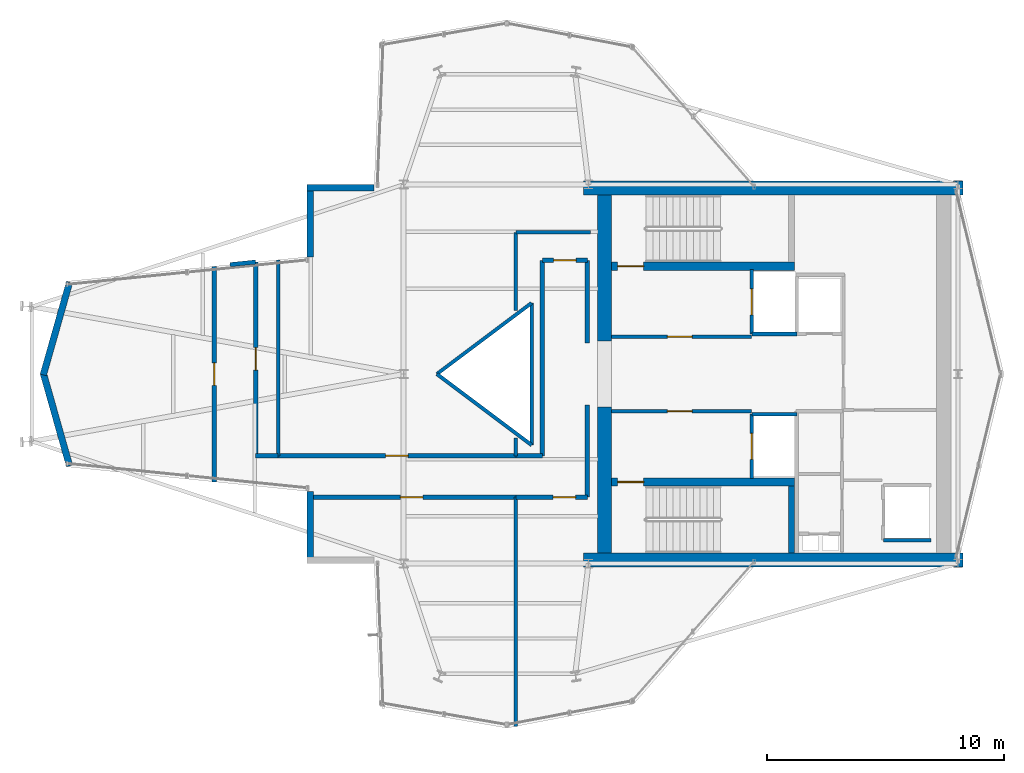
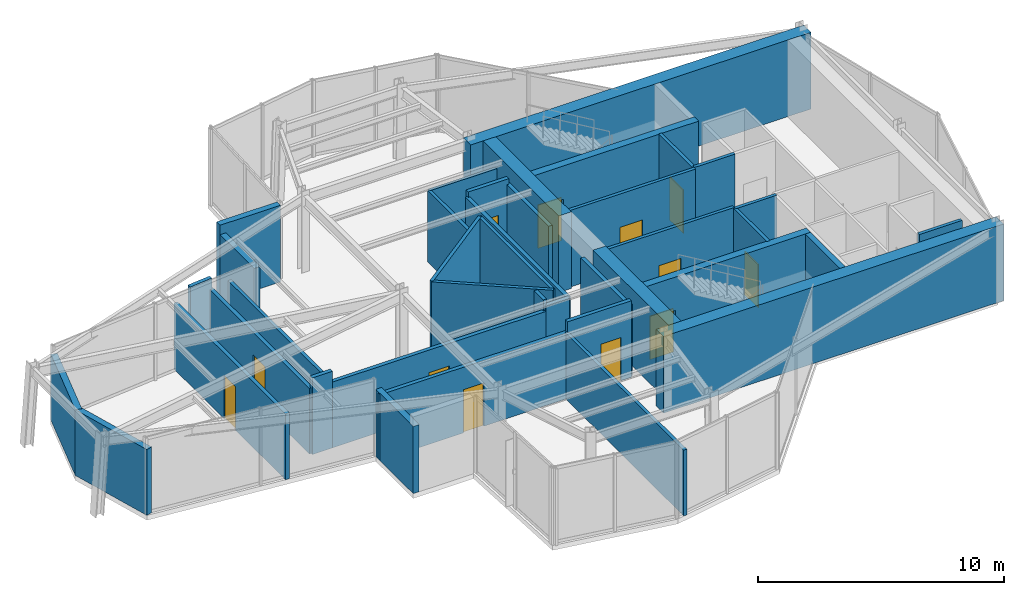
# One storey, part 11 of 13: 39 walls, 12 doors, 12 openings.
"""IFC4 building model written with IfcOpenShell, lengths in metres."""

from ifc_helpers import new_model, si_unit, direction, frame, frame_2d, origin, place, context, subcontext, project, spatial, rectangle, extrude, material, layer, layer_set, type_object, element, fill, save


model = new_model("IFC4")

# Units and contexts
model_context = context("Model", 3, precision=1e-05, world=origin(), true_north=direction((0.0, 1.0)))
body_context = subcontext(model_context, "Body", "Model", "MODEL_VIEW")
ifc_project = project(units=[si_unit("LENGTHUNIT", "METRE"), si_unit("AREAUNIT", "SQUARE_METRE"), si_unit("VOLUMEUNIT", "CUBIC_METRE"), si_unit("PLANEANGLEUNIT", "RADIAN"), si_unit("MASSUNIT", "GRAM", prefix="KILO")], contexts=[model_context])

# Site, building, storey
site_placement = place(None, origin())
site = spatial("IfcSite", under=ifc_project, at=site_placement, CompositionType="ELEMENT")
building_placement = place(site_placement, origin())
building = spatial("IfcBuilding", under=site, at=building_placement, Name="Veymaron Broadcast Tower", CompositionType="ELEMENT")
storey_placement = place(building_placement, frame((0.0, 0.0, 274.949951171875)))
storey = spatial("IfcBuildingStorey", under=building, at=storey_placement, Name="L64", CompositionType="ELEMENT", Elevation=274.949951171875)

# Walls
ifc_material_1 = material(Name="Precast concrete C40/50", Category="concrete")
ifc_layer_1 = layer(ifc_material_1, 0.280029296875)
ifc_layer_set_1 = layer_set([ifc_layer_1], Name="Precast concrete C40/50")
wall_type_1 = type_object("IfcWallType", Name="WALL-EXT-280", PredefinedType="STANDARD", material=ifc_layer_set_1)
wall_1_placement = place(storey_placement, frame((29.95361328125, 31.860107421875, 0.0), z_axis=(0.0, 0.0, 1.0), x_axis=(-1.0, 0.0, 0.0)))
element("IfcWall", 1, at=wall_1_placement, inside=storey, type_object=wall_type_1, Name="L64 notched corner facade pier 9-1", PredefinedType="STANDARD", context=body_context, shape_type="SweptSolid", body=[
    extrude(rectangle(XDim=2.83203125, YDim=0.280029296875, at=frame_2d((1.416015625, 0.0))), origin(), (0.0, 0.0, 1.0), 3.81005859375),
])
wall_2_placement = place(storey_placement, frame((27.26171875, 32.0, 0.0), z_axis=(0.0, 0.0, 1.0), x_axis=(0.0, -1.0, 0.0)))
element("IfcWall", 2, at=wall_2_placement, inside=storey, type_object=wall_type_1, Name="L64 notched corner facade pier 10-1", PredefinedType="STANDARD", context=body_context, shape_type="SweptSolid", body=[
    extrude(rectangle(XDim=3.05126953125, YDim=0.280029296875, at=frame_2d((1.525634765625, 0.0))), origin(), (0.0, 0.0, 1.0), 3.339111328125),
])
for number, where, z_axis, x_axis, name in (
    (3, (17.0947265625, 27.87744140625, 0.0), (0.0, 0.0, 1.0), (-0.27248594836, -0.962159762174, 0.0), "L64 notched corner facade pier 12-1"),
    (4, (15.98583984375, 24.0380859375, 0.0), (0.0, 0.0, 1.0), (0.27248594836, -0.962159762174, 0.0), "L64 notched corner facade pier 13-1"),
):
    element("IfcWall", number, at=place(storey_placement, frame(where, z_axis=z_axis, x_axis=x_axis)), inside=storey, type_object=wall_type_1, Name=name, PredefinedType="STANDARD", context=body_context, shape_type="SweptSolid", body=[
        extrude(rectangle(XDim=4.069580078125, YDim=0.280029296875, at=frame_2d((2.03466796875, 0.0))), origin(), (0.0, 0.0, 1.0), 3.27001953125),
    ])
wall_3_placement = place(storey_placement, frame((27.26171875, 19.05126953125, 0.0), z_axis=(0.0, 0.0, 1.0), x_axis=(0.0, -1.0, 0.0)))
element("IfcWall", 5, at=wall_3_placement, inside=storey, type_object=wall_type_1, Name="L64 notched corner facade pier 15-1", PredefinedType="STANDARD", context=body_context, shape_type="SweptSolid", body=[
    extrude(rectangle(XDim=3.05126953125, YDim=0.280029296875, at=frame_2d((1.525634765625, 0.0))), origin(), (0.0, 0.0, 1.0), 3.339111328125),
])

# Wall, opening, door
ifc_material_2 = material(Name="Gypsum fireboard and steel stud framing", Category="steel")
ifc_layer_2 = layer(ifc_material_2, 0.14990234375)
ifc_layer_set_2 = layer_set([ifc_layer_2], Name="Gypsum fireboard and steel stud framing")
wall_type_2 = type_object("IfcWallType", Name="WALL-FIRE-150", PredefinedType="PARTITIONING", material=ifc_layer_set_2)
wall_4_placement = place(storey_placement, frame((39.97998046875, 25.574951171875, 0.0), z_axis=(0.0, 0.0, 1.0), x_axis=(1.0, 0.0, 0.0)))
wall_4 = element("IfcWall", 6, at=wall_4_placement, inside=storey, type_object=wall_type_2, Name="L64 partition IW-L64-FFLN-S", PredefinedType="PARTITIONING", context=body_context, shape_type="SweptSolid", body=[
    extrude(rectangle(XDim=5.89990234375, YDim=0.14990234375, at=frame_2d((2.949951171875, 0.0))), origin(), (0.0, 0.0, 1.0), 3.81005859375),
])
opening_1_placement = place(wall_4_placement, frame((2.35009765625, 0.0, 0.0)))
opening_1 = element("IfcOpeningElement", 7, at=opening_1_placement, cuts=wall_4, Name="Opening ID-FL1", PredefinedType="OPENING", context=body_context, shape_type="SweptSolid", body=[
    extrude(rectangle(XDim=1.050048828125, YDim=2.14990234375, at=frame_2d((0.52490234375, 1.074951171875))), frame((0.0, 0.0849609375, 0.0), z_axis=(0.0, -1.0, 0.0), x_axis=(1.0, 0.0, 0.0)), (0.0, 0.0, 1.0), 0.169921875),
])
ifc_material_3 = material(Name="Fire-rated painted hollow steel ASTM A653", Category="steel")
door_type_1 = type_object("IfcDoorType", Name="DOOR-FIRE-1050", OperationType="NOTDEFINED", PredefinedType="DOOR", material=ifc_material_3)
door_1_placement = place(opening_1_placement, origin())
door_1 = element("IfcDoor", 8, at=door_1_placement, inside=storey, type_object=door_type_1, Name="L64 door DR-L64-FFLN", OperationType="SINGLE_SWING_LEFT", OverallHeight=2.14990234375, OverallWidth=1.050048828125, PredefinedType="DOOR", context=body_context, shape_type="SweptSolid", body=[
    extrude(rectangle(XDim=1.050048828125, YDim=2.14990234375, at=frame_2d((0.52490234375, 1.074951171875))), frame((0.0, 0.02490234375, 0.0), z_axis=(0.0, -1.0, 0.0), x_axis=(1.0, 0.0, 0.0)), (0.0, 0.0, 1.0), 0.050048828125),
])
fill(opening_1, door_1)

wall_5_placement = place(storey_placement, frame((39.97998046875, 22.425048828125, 0.0), z_axis=(0.0, 0.0, 1.0), x_axis=(1.0, 0.0, 0.0)))
wall_5 = element("IfcWall", 9, at=wall_5_placement, inside=storey, type_object=wall_type_2, Name="L64 partition IW-L64-FFLS-N", PredefinedType="PARTITIONING", context=body_context, shape_type="SweptSolid", body=[
    extrude(rectangle(XDim=5.89990234375, YDim=0.14990234375, at=frame_2d((2.949951171875, 0.0))), origin(), (0.0, 0.0, 1.0), 3.81005859375),
])
opening_2_placement = place(wall_5_placement, frame((2.35009765625, 0.0, 0.0)))
opening_2 = element("IfcOpeningElement", 10, at=opening_2_placement, cuts=wall_5, Name="Opening ID-FL1", PredefinedType="OPENING", context=body_context, shape_type="SweptSolid", body=[
    extrude(rectangle(XDim=1.050048828125, YDim=2.14990234375, at=frame_2d((0.52490234375, 1.074951171875))), frame((0.0, 0.0849609375, 0.0), z_axis=(0.0, -1.0, 0.0), x_axis=(1.0, 0.0, 0.0)), (0.0, 0.0, 1.0), 0.169921875),
])
door_2_placement = place(opening_2_placement, frame((1.050048828125, 0.0, 0.0), z_axis=(0.0, 0.0, 1.0), x_axis=(-1.0, 0.0, 0.0)))
door_2 = element("IfcDoor", 11, at=door_2_placement, inside=storey, type_object=door_type_1, Name="L64 door DR-L64-FFLS", OperationType="SINGLE_SWING_RIGHT", OverallHeight=2.14990234375, OverallWidth=1.050048828125, PredefinedType="DOOR", context=body_context, shape_type="SweptSolid", body=[
    extrude(rectangle(XDim=1.050048828125, YDim=2.14990234375, at=frame_2d((0.52490234375, 1.074951171875))), frame((0.0, 0.02490234375, 0.0), z_axis=(0.0, -1.0, 0.0), x_axis=(1.0, 0.0, 0.0)), (0.0, 0.0, 1.0), 0.050048828125),
])
fill(opening_2, door_2)

wall_6_placement = place(storey_placement, frame((45.89501953125, 25.68994140625, 0.0), z_axis=(0.0, 0.0, 1.0), x_axis=(0.0, 1.0, 0.0)))
wall_6 = element("IfcWall", 12, at=wall_6_placement, inside=storey, type_object=wall_type_2, Name="L64 partition IW-L64-SHW-FFL-1", PredefinedType="PARTITIONING", context=body_context, shape_type="SweptSolid", body=[
    extrude(rectangle(XDim=2.719970703125, YDim=0.14990234375, at=frame_2d((1.35986328125, 0.0))), origin(), (0.0, 0.0, 1.0), 3.81005859375),
])
opening_3_placement = place(wall_6_placement, frame((0.81005859375, 0.0, 0.0)))
opening_3 = element("IfcOpeningElement", 13, at=opening_3_placement, cuts=wall_6, Name="Opening LD", PredefinedType="OPENING", context=body_context, shape_type="SweptSolid", body=[
    extrude(rectangle(XDim=1.10009765625, YDim=2.14990234375, at=frame_2d((0.550048828125, 1.074951171875))), frame((0.0, 0.0849609375, 0.0), z_axis=(0.0, -1.0, 0.0), x_axis=(1.0, 0.0, 0.0)), (0.0, 0.0, 1.0), 0.169921875),
])
ifc_material_4 = material(Name="Brushed stainless steel AISI 304", Category="steel")
door_type_2 = type_object("IfcDoorType", Name="DOOR-LIFT-1100", OperationType="DOUBLE_DOOR_SLIDING", PredefinedType="DOOR", material=ifc_material_4)
door_3_placement = place(opening_3_placement, frame((1.10009765625, 0.0, 0.0), z_axis=(0.0, 0.0, 1.0), x_axis=(-1.0, 0.0, 0.0)))
door_3 = element("IfcDoor", 14, at=door_3_placement, inside=storey, type_object=door_type_2, Name="L64 door LD-L64-FFL-1", OperationType="DOUBLE_DOOR_SLIDING", OverallHeight=2.14990234375, OverallWidth=1.10009765625, PredefinedType="DOOR", context=body_context, shape_type="SweptSolid", body=[
    extrude(rectangle(XDim=1.10009765625, YDim=2.14990234375, at=frame_2d((0.550048828125, 1.074951171875))), frame((0.0, 0.02490234375, 0.0), z_axis=(0.0, -1.0, 0.0), x_axis=(1.0, 0.0, 0.0)), (0.0, 0.0, 1.0), 0.050048828125),
])
fill(opening_3, door_3)

# Wall
wall_7_placement = place(storey_placement, frame((45.89501953125, 25.68994140625, 0.0), z_axis=(0.0, 0.0, 1.0), x_axis=(1.0, 0.0, 0.0)))
element("IfcWall", 15, at=wall_7_placement, inside=storey, type_object=wall_type_2, Name="L64 partition IW-L64-SHS-FFL-1", PredefinedType="PARTITIONING", context=body_context, shape_type="SweptSolid", body=[
    extrude(rectangle(XDim=1.9150390625, YDim=0.14990234375, at=frame_2d((0.95751953125, 0.0))), origin(), (0.0, 0.0, 1.0), 3.81005859375),
])

# Wall, opening, door
wall_8_placement = place(storey_placement, frame((45.89501953125, 19.590087890625, 0.0), z_axis=(0.0, 0.0, 1.0), x_axis=(0.0, 1.0, 0.0)))
wall_8 = element("IfcWall", 16, at=wall_8_placement, inside=storey, type_object=wall_type_2, Name="L64 partition IW-L64-SHW-FFL-2", PredefinedType="PARTITIONING", context=body_context, shape_type="SweptSolid", body=[
    extrude(rectangle(XDim=2.719970703125, YDim=0.14990234375, at=frame_2d((1.35986328125, 0.0))), origin(), (0.0, 0.0, 1.0), 3.81005859375),
])
opening_4_placement = place(wall_8_placement, frame((0.81005859375, 0.0, 0.0)))
opening_4 = element("IfcOpeningElement", 17, at=opening_4_placement, cuts=wall_8, Name="Opening LD", PredefinedType="OPENING", context=body_context, shape_type="SweptSolid", body=[
    extrude(rectangle(XDim=1.10009765625, YDim=2.14990234375, at=frame_2d((0.550048828125, 1.074951171875))), frame((0.0, 0.0849609375, 0.0), z_axis=(0.0, -1.0, 0.0), x_axis=(1.0, 0.0, 0.0)), (0.0, 0.0, 1.0), 0.169921875),
])
door_4_placement = place(opening_4_placement, frame((1.10009765625, 0.0, 0.0), z_axis=(0.0, 0.0, 1.0), x_axis=(-1.0, 0.0, 0.0)))
door_4 = element("IfcDoor", 18, at=door_4_placement, inside=storey, type_object=door_type_2, Name="L64 door LD-L64-FFL-2", OperationType="DOUBLE_DOOR_SLIDING", OverallHeight=2.14990234375, OverallWidth=1.10009765625, PredefinedType="DOOR", context=body_context, shape_type="SweptSolid", body=[
    extrude(rectangle(XDim=1.10009765625, YDim=2.14990234375, at=frame_2d((0.550048828125, 1.074951171875))), frame((0.0, 0.02490234375, 0.0), z_axis=(0.0, -1.0, 0.0), x_axis=(1.0, 0.0, 0.0)), (0.0, 0.0, 1.0), 0.050048828125),
])
fill(opening_4, door_4)

# Walls
wall_9_placement = place(storey_placement, frame((45.89501953125, 22.31005859375, 0.0), z_axis=(0.0, 0.0, 1.0), x_axis=(1.0, 0.0, 0.0)))
element("IfcWall", 19, at=wall_9_placement, inside=storey, type_object=wall_type_2, Name="L64 partition IW-L64-SHN-FFL-2", PredefinedType="PARTITIONING", context=body_context, shape_type="SweptSolid", body=[
    extrude(rectangle(XDim=1.9150390625, YDim=0.14990234375, at=frame_2d((0.95751953125, 0.0))), origin(), (0.0, 0.0, 1.0), 3.81005859375),
])
wall_10_placement = place(storey_placement, frame((51.445068359375, 16.989990234375, 0.0), z_axis=(0.0, 0.0, 1.0), x_axis=(1.0, 0.0, 0.0)))
element("IfcWall", 20, at=wall_10_placement, inside=storey, type_object=wall_type_2, Name="L64 partition IW-L64-SHS-PH1", PredefinedType="PARTITIONING", context=body_context, shape_type="SweptSolid", body=[
    extrude(rectangle(XDim=2.014892578125, YDim=0.14990234375, at=frame_2d((1.00732421875, 0.0))), origin(), (0.0, 0.0, 1.0), 3.81005859375),
])

# Wall, opening, door
ifc_material_5 = material(Name="Concrete C40/50", Category="concrete")
ifc_layer_3 = layer(ifc_material_5, 0.179931640625)
ifc_layer_set_3 = layer_set([ifc_layer_3], Name="Concrete C40/50")
wall_type_3 = type_object("IfcWallType", Name="WALL-FIRE-180", PredefinedType="SOLIDWALL", material=ifc_layer_set_3)
wall_11_placement = place(storey_placement, frame((35.93798828125, 18.800048828125, 0.0), z_axis=(0.0, 0.0, 1.0), x_axis=(1.0, 0.0, 0.0)))
wall_11 = element("IfcWall", 21, at=wall_11_placement, inside=storey, type_object=wall_type_3, Name="L64 partition IW-L64-P02", PredefinedType="SOLIDWALL", context=body_context, shape_type="SweptSolid", body=[
    extrude(rectangle(XDim=3.011962890625, YDim=0.179931640625, at=frame_2d((1.505859375, 0.0))), origin(), (0.0, 0.0, 1.0), 3.81005859375),
])
opening_5_placement = place(wall_11_placement, frame((1.571044921875, 0.0, 0.0)))
opening_5 = element("IfcOpeningElement", 22, at=opening_5_placement, cuts=wall_11, Name="Opening ID-RM1", PredefinedType="OPENING", context=body_context, shape_type="SweptSolid", body=[
    extrude(rectangle(XDim=0.949951171875, YDim=2.14990234375, at=frame_2d((0.47509765625, 1.074951171875))), frame((0.0, 0.10009765625, 0.0), z_axis=(0.0, -1.0, 0.0), x_axis=(1.0, 0.0, 0.0)), (0.0, 0.0, 1.0), 0.199951171875),
])
ifc_material_6 = material(Name="Acoustic solid-core European oak veneer timber", Category="wood")
door_type_3 = type_object("IfcDoorType", Name="DOOR-INT-950", OperationType="NOTDEFINED", PredefinedType="DOOR", material=ifc_material_6)
door_5_placement = place(opening_5_placement, frame((0.949951171875, 0.0, 0.0), z_axis=(0.0, 0.0, 1.0), x_axis=(-1.0, 0.0, 0.0)))
door_5 = element("IfcDoor", 23, at=door_5_placement, inside=storey, type_object=door_type_3, Name="L64 door DR-L64-P02", OperationType="SINGLE_SWING_LEFT", OverallHeight=2.14990234375, OverallWidth=0.949951171875, PredefinedType="DOOR", context=body_context, shape_type="SweptSolid", body=[
    extrude(rectangle(XDim=0.949951171875, YDim=2.14990234375, at=frame_2d((0.47509765625, 1.074951171875))), frame((0.0, 0.02490234375, 0.0), z_axis=(0.0, -1.0, 0.0), x_axis=(1.0, 0.0, 0.0)), (0.0, 0.0, 1.0), 0.050048828125),
])
fill(opening_5, door_5)

wall_12_placement = place(storey_placement, frame((27.12158203125, 18.800048828125, 0.0), z_axis=(0.0, 0.0, 1.0), x_axis=(1.0, 0.0, 0.0)))
wall_12 = element("IfcWall", 24, at=wall_12_placement, inside=storey, type_object=wall_type_3, Name="L64 partition IW-L64-P03", PredefinedType="SOLIDWALL", context=body_context, shape_type="SweptSolid", body=[
    extrude(rectangle(XDim=8.81640625, YDim=0.179931640625, at=frame_2d((4.408203125, 0.0))), origin(), (0.0, 0.0, 1.0), 3.27001953125),
])
opening_6_placement = place(wall_12_placement, frame((3.93310546875, 0.0, 0.0)))
opening_6 = element("IfcOpeningElement", 25, at=opening_6_placement, cuts=wall_12, Name="Opening ID-RM1", PredefinedType="OPENING", context=body_context, shape_type="SweptSolid", body=[
    extrude(rectangle(XDim=0.949951171875, YDim=2.14990234375, at=frame_2d((0.47509765625, 1.074951171875))), frame((0.0, 0.10009765625, 0.0), z_axis=(0.0, -1.0, 0.0), x_axis=(1.0, 0.0, 0.0)), (0.0, 0.0, 1.0), 0.199951171875),
])
door_6_placement = place(opening_6_placement, frame((0.949951171875, 0.0, 0.0), z_axis=(0.0, 0.0, 1.0), x_axis=(-1.0, 0.0, 0.0)))
door_6 = element("IfcDoor", 26, at=door_6_placement, inside=storey, type_object=door_type_3, Name="L64 door DR-L64-P03", OperationType="SINGLE_SWING_RIGHT", OverallHeight=2.14990234375, OverallWidth=0.949951171875, PredefinedType="DOOR", context=body_context, shape_type="SweptSolid", body=[
    extrude(rectangle(XDim=0.949951171875, YDim=2.14990234375, at=frame_2d((0.47509765625, 1.074951171875))), frame((0.0, 0.02490234375, 0.0), z_axis=(0.0, -1.0, 0.0), x_axis=(1.0, 0.0, 0.0)), (0.0, 0.0, 1.0), 0.050048828125),
])
fill(opening_6, door_6)

wall_13_placement = place(storey_placement, frame((23.199951171875, 19.449951171875, 0.0), z_axis=(0.0, 0.0, 1.0), x_axis=(0.0, 1.0, 0.0)))
wall_13 = element("IfcWall", 27, at=wall_13_placement, inside=storey, type_object=wall_type_3, Name="L64 partition IW-L64-P04", PredefinedType="SOLIDWALL", context=body_context, shape_type="SweptSolid", body=[
    extrude(rectangle(XDim=9.10009765625, YDim=0.179931640625, at=frame_2d((4.550048828125, 0.0))), origin(), (0.0, 0.0, 1.0), 3.27001953125),
])
opening_7_placement = place(wall_13_placement, frame((4.0751953125, 0.0, 0.0)))
opening_7 = element("IfcOpeningElement", 28, at=opening_7_placement, cuts=wall_13, Name="Opening ID-RM1", PredefinedType="OPENING", context=body_context, shape_type="SweptSolid", body=[
    extrude(rectangle(XDim=0.949951171875, YDim=2.14990234375, at=frame_2d((0.47509765625, 1.074951171875))), frame((0.0, 0.10009765625, 0.0), z_axis=(0.0, -1.0, 0.0), x_axis=(1.0, 0.0, 0.0)), (0.0, 0.0, 1.0), 0.199951171875),
])
door_7_placement = place(opening_7_placement, origin())
door_7 = element("IfcDoor", 29, at=door_7_placement, inside=storey, type_object=door_type_3, Name="L64 door DR-L64-P04", OperationType="SINGLE_SWING_LEFT", OverallHeight=2.14990234375, OverallWidth=0.949951171875, PredefinedType="DOOR", context=body_context, shape_type="SweptSolid", body=[
    extrude(rectangle(XDim=0.949951171875, YDim=2.14990234375, at=frame_2d((0.47509765625, 1.074951171875))), frame((0.0, 0.02490234375, 0.0), z_axis=(0.0, -1.0, 0.0), x_axis=(1.0, 0.0, 0.0)), (0.0, 0.0, 1.0), 0.050048828125),
])
fill(opening_7, door_7)

wall_14_placement = place(storey_placement, frame((24.949951171875, 20.550048828125, 0.0), z_axis=(0.0, 0.0, 1.0), x_axis=(0.0, 1.0, 0.0)))
wall_14 = element("IfcWall", 30, at=wall_14_placement, inside=storey, type_object=wall_type_3, Name="L64 partition IW-L64-P05", PredefinedType="SOLIDWALL", context=body_context, shape_type="SweptSolid", body=[
    extrude(rectangle(XDim=8.177978515625, YDim=0.179931640625, at=frame_2d((4.0888671875, 0.0))), origin(), (0.0, 0.0, 1.0), 3.27001953125),
])
opening_8_placement = place(wall_14_placement, frame((3.614013671875, 0.0, 0.0)))
opening_8 = element("IfcOpeningElement", 31, at=opening_8_placement, cuts=wall_14, Name="Opening ID-RM1", PredefinedType="OPENING", context=body_context, shape_type="SweptSolid", body=[
    extrude(rectangle(XDim=0.949951171875, YDim=2.14990234375, at=frame_2d((0.47509765625, 1.074951171875))), frame((0.0, 0.10009765625, 0.0), z_axis=(0.0, -1.0, 0.0), x_axis=(1.0, 0.0, 0.0)), (0.0, 0.0, 1.0), 0.199951171875),
])
door_8_placement = place(opening_8_placement, frame((0.949951171875, 0.0, 0.0), z_axis=(0.0, 0.0, 1.0), x_axis=(-1.0, 0.0, 0.0)))
door_8 = element("IfcDoor", 32, at=door_8_placement, inside=storey, type_object=door_type_3, Name="L64 door DR-L64-P05", OperationType="SINGLE_SWING_RIGHT", OverallHeight=2.14990234375, OverallWidth=0.949951171875, PredefinedType="DOOR", context=body_context, shape_type="SweptSolid", body=[
    extrude(rectangle(XDim=0.949951171875, YDim=2.14990234375, at=frame_2d((0.47509765625, 1.074951171875))), frame((0.0, 0.02490234375, 0.0), z_axis=(0.0, -1.0, 0.0), x_axis=(1.0, 0.0, 0.0)), (0.0, 0.0, 1.0), 0.050048828125),
])
fill(opening_8, door_8)

wall_15_placement = place(storey_placement, frame((37.050048828125, 28.800048828125, 0.0), z_axis=(0.0, 0.0, 1.0), x_axis=(1.0, 0.0, 0.0)))
wall_15 = element("IfcWall", 33, at=wall_15_placement, inside=storey, type_object=wall_type_3, Name="L64 partition IW-L64-P10", PredefinedType="SOLIDWALL", context=body_context, shape_type="SweptSolid", body=[
    extrude(rectangle(XDim=1.89990234375, YDim=0.179931640625, at=frame_2d((0.949951171875, 0.0))), origin(), (0.0, 0.0, 1.0), 3.81005859375),
])
opening_9_placement = place(wall_15_placement, frame((0.47509765625, 0.0, 0.0)))
opening_9 = element("IfcOpeningElement", 34, at=opening_9_placement, cuts=wall_15, Name="Opening ID-RM1", PredefinedType="OPENING", context=body_context, shape_type="SweptSolid", body=[
    extrude(rectangle(XDim=0.949951171875, YDim=2.14990234375, at=frame_2d((0.47509765625, 1.074951171875))), frame((0.0, 0.10009765625, 0.0), z_axis=(0.0, -1.0, 0.0), x_axis=(1.0, 0.0, 0.0)), (0.0, 0.0, 1.0), 0.199951171875),
])
door_9_placement = place(opening_9_placement, origin())
door_9 = element("IfcDoor", 35, at=door_9_placement, inside=storey, type_object=door_type_3, Name="L64 door DR-L64-P10", OperationType="SINGLE_SWING_LEFT", OverallHeight=2.14990234375, OverallWidth=0.949951171875, PredefinedType="DOOR", context=body_context, shape_type="SweptSolid", body=[
    extrude(rectangle(XDim=0.949951171875, YDim=2.14990234375, at=frame_2d((0.47509765625, 1.074951171875))), frame((0.0, 0.02490234375, 0.0), z_axis=(0.0, -1.0, 0.0), x_axis=(1.0, 0.0, 0.0)), (0.0, 0.0, 1.0), 0.050048828125),
])
fill(opening_9, door_9)

wall_16_placement = place(storey_placement, frame((25.89501953125, 20.550048828125, 0.0), z_axis=(0.0, 0.0, 1.0), x_axis=(1.0, 0.0, 0.0)))
wall_16 = element("IfcWall", 36, at=wall_16_placement, inside=storey, type_object=wall_type_3, Name="L64 partition IW-L64-P12", PredefinedType="SOLIDWALL", context=body_context, shape_type="SweptSolid", body=[
    extrude(rectangle(XDim=10.04296875, YDim=0.179931640625, at=frame_2d((5.021484375, 0.0))), origin(), (0.0, 0.0, 1.0), 3.27001953125),
])
opening_10_placement = place(wall_16_placement, frame((4.54638671875, 0.0, 0.0)))
opening_10 = element("IfcOpeningElement", 37, at=opening_10_placement, cuts=wall_16, Name="Opening ID-RM1", PredefinedType="OPENING", context=body_context, shape_type="SweptSolid", body=[
    extrude(rectangle(XDim=0.949951171875, YDim=2.14990234375, at=frame_2d((0.47509765625, 1.074951171875))), frame((0.0, 0.10009765625, 0.0), z_axis=(0.0, -1.0, 0.0), x_axis=(1.0, 0.0, 0.0)), (0.0, 0.0, 1.0), 0.199951171875),
])
door_10_placement = place(opening_10_placement, origin())
door_10 = element("IfcDoor", 38, at=door_10_placement, inside=storey, type_object=door_type_3, Name="L64 door DR-L64-P12", OperationType="SINGLE_SWING_LEFT", OverallHeight=2.14990234375, OverallWidth=0.949951171875, PredefinedType="DOOR", context=body_context, shape_type="SweptSolid", body=[
    extrude(rectangle(XDim=0.949951171875, YDim=2.14990234375, at=frame_2d((0.47509765625, 1.074951171875))), frame((0.0, 0.02490234375, 0.0), z_axis=(0.0, -1.0, 0.0), x_axis=(1.0, 0.0, 0.0)), (0.0, 0.0, 1.0), 0.050048828125),
])
fill(opening_10, door_10)

# Walls
wall_17_placement = place(storey_placement, frame((38.949951171875, 18.800048828125, 0.0), z_axis=(0.0, 0.0, 1.0), x_axis=(0.0, 1.0, 0.0)))
element("IfcWall", 39, at=wall_17_placement, inside=storey, type_object=wall_type_3, Name="L64 partition IW-L64-P01", PredefinedType="SOLIDWALL", context=body_context, shape_type="SweptSolid", body=[
    extrude(rectangle(XDim=3.89990234375, YDim=0.179931640625, at=frame_2d((1.949951171875, 0.0))), origin(), (0.0, 0.0, 1.0), 3.5400390625),
])
wall_18_placement = place(storey_placement, frame((23.872314453125, 28.618408203125, 0.0), z_axis=(0.0, 0.0, 1.0), x_axis=(0.994866145346, 0.101199569384, 0.0)))
element("IfcWall", 40, at=wall_18_placement, inside=storey, type_object=wall_type_3, Name="L64 partition IW-L64-P06", PredefinedType="SOLIDWALL", context=body_context, shape_type="SweptSolid", body=[
    extrude(rectangle(XDim=1.083251953125, YDim=0.179931640625, at=frame_2d((0.54150390625, 0.0))), origin(), (0.0, 0.0, 1.0), 3.81005859375),
])
wall_19_placement = place(storey_placement, frame((24.949951171875, 20.550048828125, 0.0), z_axis=(0.0, 0.0, 1.0), x_axis=(1.0, 0.0, 0.0)))
element("IfcWall", 41, at=wall_19_placement, inside=storey, type_object=wall_type_3, Name="L64 partition IW-L64-P07", PredefinedType="SOLIDWALL", context=body_context, shape_type="SweptSolid", body=[
    extrude(rectangle(XDim=0.945068359375, YDim=0.179931640625, at=frame_2d((0.47265625, 0.0))), origin(), (0.0, 0.0, 1.0), 3.81005859375),
])
wall_20_placement = place(storey_placement, frame((37.050048828125, 20.550048828125, 0.0), z_axis=(0.0, 0.0, 1.0), x_axis=(0.0, 1.0, 0.0)))
element("IfcWall", 42, at=wall_20_placement, inside=storey, type_object=wall_type_3, Name="L64 partition IW-L64-P08", PredefinedType="SOLIDWALL", context=body_context, shape_type="SweptSolid", body=[
    extrude(rectangle(XDim=8.25, YDim=0.179931640625, at=frame_2d((4.125, 0.0))), origin(), (0.0, 0.0, 1.0), 3.5400390625),
])
wall_21_placement = place(storey_placement, frame((38.949951171875, 25.300048828125, 0.0), z_axis=(0.0, 0.0, 1.0), x_axis=(0.0, 1.0, 0.0)))
element("IfcWall", 43, at=wall_21_placement, inside=storey, type_object=wall_type_3, Name="L64 partition IW-L64-P09", PredefinedType="SOLIDWALL", context=body_context, shape_type="SweptSolid", body=[
    extrude(rectangle(XDim=3.5, YDim=0.179931640625, at=frame_2d((1.75, 0.0))), origin(), (0.0, 0.0, 1.0), 3.5400390625),
])
wall_22_placement = place(storey_placement, frame((35.93798828125, 20.550048828125, 0.0), z_axis=(0.0, 0.0, 1.0), x_axis=(1.0, 0.0, 0.0)))
element("IfcWall", 44, at=wall_22_placement, inside=storey, type_object=wall_type_3, Name="L64 partition IW-L64-P11", PredefinedType="SOLIDWALL", context=body_context, shape_type="SweptSolid", body=[
    extrude(rectangle(XDim=1.112060546875, YDim=0.179931640625, at=frame_2d((0.55615234375, 0.0))), origin(), (0.0, 0.0, 1.0), 3.5400390625),
])
ifc_material_7 = material(Name="Fire-rated laminated glass in aluminium frame", Category="aluminium")
ifc_layer_4 = layer(ifc_material_7, 0.14990234375)
ifc_layer_set_4 = layer_set([ifc_layer_4], Name="Fire-rated laminated glass in aluminium frame")
wall_type_4 = type_object("IfcWallType", Name="WALL-GLZ-150", PredefinedType="MOVABLE", material=ifc_layer_set_4)
wall_23_placement = place(storey_placement, frame((35.93798828125, 9.127685546875, 0.0), z_axis=(0.0, 0.0, 1.0), x_axis=(0.0, 1.0, 0.0)))
element("IfcWall", 45, at=wall_23_placement, inside=storey, type_object=wall_type_4, Name="L64 partition IW-L64-P13", PredefinedType="MOVABLE", context=body_context, shape_type="SweptSolid", body=[
    extrude(rectangle(XDim=9.67236328125, YDim=0.14990234375, at=frame_2d((4.836181640625, 0.0))), origin(), (0.0, 0.0, 1.0), 3.27001953125),
])
wall_24_placement = place(storey_placement, frame((25.89501953125, 20.550048828125, 0.0), z_axis=(0.0, 0.0, 1.0), x_axis=(0.0, 1.0, 0.0)))
element("IfcWall", 46, at=wall_24_placement, inside=storey, type_object=wall_type_4, Name="L64 partition IW-L64-P14", PredefinedType="MOVABLE", context=body_context, shape_type="SweptSolid", body=[
    extrude(rectangle(XDim=8.274169921875, YDim=0.14990234375, at=frame_2d((4.13720703125, 0.0))), origin(), (0.0, 0.0, 1.0), 3.27001953125),
])
wall_25_placement = place(storey_placement, frame((35.93798828125, 26.69091796875, 0.0), z_axis=(0.0, 0.0, 1.0), x_axis=(0.0, 1.0, 0.0)))
element("IfcWall", 47, at=wall_25_placement, inside=storey, type_object=wall_type_4, Name="L64 partition IW-L64-P15", PredefinedType="MOVABLE", context=body_context, shape_type="SweptSolid", body=[
    extrude(rectangle(XDim=3.287109375, YDim=0.14990234375, at=frame_2d((1.6435546875, 0.0))), origin(), (0.0, 0.0, 1.0), 3.5400390625),
])
wall_26_placement = place(storey_placement, frame((35.93798828125, 29.97802734375, 0.0), z_axis=(0.0, 0.0, 1.0), x_axis=(1.0, 0.0, 0.0)))
element("IfcWall", 48, at=wall_26_placement, inside=storey, type_object=wall_type_4, Name="L64 partition IW-L64-P16", PredefinedType="MOVABLE", context=body_context, shape_type="SweptSolid", body=[
    extrude(rectangle(XDim=3.14208984375, YDim=0.14990234375, at=frame_2d((1.571044921875, 0.0))), origin(), (0.0, 0.0, 1.0), 3.5400390625),
])
wall_27_placement = place(storey_placement, frame((35.93798828125, 20.550048828125, 0.0), z_axis=(0.0, 0.0, 1.0), x_axis=(0.0, 1.0, 0.0)))
element("IfcWall", 49, at=wall_27_placement, inside=storey, type_object=wall_type_4, Name="L64 partition IW-L64-P17", PredefinedType="MOVABLE", context=body_context, shape_type="SweptSolid", body=[
    extrude(rectangle(XDim=0.759033203125, YDim=0.14990234375, at=frame_2d((0.37939453125, 0.0))), origin(), (0.0, 0.0, 1.0), 3.81005859375),
])
wall_28_placement = place(storey_placement, frame((32.60009765625, 24.0, 0.0), z_axis=(0.0, 0.0, 1.0), x_axis=(0.8, -0.6, 0.0)))
element("IfcWall", 50, at=wall_28_placement, inside=storey, type_object=wall_type_4, Name="L64 partition IW-L64-ATR1", PredefinedType="MOVABLE", context=body_context, shape_type="SweptSolid", body=[
    extrude(rectangle(XDim=5.0, YDim=0.14990234375, at=frame_2d((2.5, 0.0))), origin(), (0.0, 0.0, 1.0), 3.81005859375),
])
wall_29_placement = place(storey_placement, frame((36.60009765625, 21.0, 0.0), z_axis=(0.0, 0.0, 1.0), x_axis=(0.0, 1.0, 0.0)))
element("IfcWall", 51, at=wall_29_placement, inside=storey, type_object=wall_type_4, Name="L64 partition IW-L64-ATR2", PredefinedType="MOVABLE", context=body_context, shape_type="SweptSolid", body=[
    extrude(rectangle(XDim=6.0, YDim=0.14990234375, at=frame_2d((3.0, 0.0))), origin(), (0.0, 0.0, 1.0), 3.81005859375),
])
wall_30_placement = place(storey_placement, frame((36.60009765625, 27.0, 0.0), z_axis=(0.0, 0.0, 1.0), x_axis=(-0.8, -0.6, 0.0)))
element("IfcWall", 52, at=wall_30_placement, inside=storey, type_object=wall_type_4, Name="L64 partition IW-L64-ATR3", PredefinedType="MOVABLE", context=body_context, shape_type="SweptSolid", body=[
    extrude(rectangle(XDim=5.0, YDim=0.14990234375, at=frame_2d((2.5, 0.0))), origin(), (0.0, 0.0, 1.0), 3.81005859375),
])
ifc_material_8 = material(Name="Concrete C50/60", Category="concrete")
ifc_layer_5 = layer(ifc_material_8, 0.25)
ifc_layer_set_5 = layer_set([ifc_layer_5], Name="Concrete C50/60")
wall_type_5 = type_object("IfcWallType", Name="WALL-SHEAR-250", PredefinedType="SHEAR", material=ifc_layer_set_5)
wall_31_placement = place(storey_placement, frame((47.56494140625, 16.449951171875, 0.0), z_axis=(0.0, 0.0, 1.0), x_axis=(0.0, 1.0, 0.0)))
element("IfcWall", 53, at=wall_31_placement, inside=storey, type_object=wall_type_5, Name="L64 Core Wall south stair east shear", PredefinedType="SHEAR", context=body_context, shape_type="SweptSolid", body=[
    extrude(rectangle(XDim=2.820068359375, YDim=0.25, at=frame_2d((1.41015625, 0.0))), origin(), (0.0, 0.0, 1.0), 3.81005859375),
])

# Wall, opening, door
ifc_layer_6 = layer(ifc_material_8, 0.35009765625)
ifc_layer_set_6 = layer_set([ifc_layer_6], Name="Concrete C50/60")
wall_type_6 = type_object("IfcWallType", Name="WALL-SHEAR-350", PredefinedType="SHEAR", material=ifc_layer_set_6)
wall_32_placement = place(storey_placement, frame((39.97998046875, 28.554931640625, 0.0), z_axis=(0.0, 0.0, 1.0), x_axis=(1.0, 0.0, 0.0)))
wall_32 = element("IfcWall", 54, at=wall_32_placement, inside=storey, type_object=wall_type_6, Name="L64 Core Wall north stair spine", PredefinedType="SHEAR", context=body_context, shape_type="SweptSolid", body=[
    extrude(rectangle(XDim=7.7099609375, YDim=0.35009765625, at=frame_2d((3.85498046875, 0.0))), origin(), (0.0, 0.0, 1.0), 3.81005859375),
])
opening_11_placement = place(wall_32_placement, frame((0.25, 0.0, 0.0)))
opening_11 = element("IfcOpeningElement", 55, at=opening_11_placement, cuts=wall_32, Name="Opening ID-ST1", PredefinedType="OPENING", context=body_context, shape_type="SweptSolid", body=[
    extrude(rectangle(XDim=1.10009765625, YDim=2.14990234375, at=frame_2d((0.550048828125, 1.074951171875))), frame((0.0, 0.18505859375, 0.0), z_axis=(0.0, -1.0, 0.0), x_axis=(1.0, 0.0, 0.0)), (0.0, 0.0, 1.0), 0.3701171875),
])
door_type_4 = type_object("IfcDoorType", Name="DOOR-STAIR-1100", OperationType="NOTDEFINED", PredefinedType="DOOR", material=ifc_material_3)
door_11_placement = place(opening_11_placement, origin())
door_11 = element("IfcDoor", 56, at=door_11_placement, inside=storey, type_object=door_type_4, Name="L64 exit stair ST1 fire door", OperationType="SINGLE_SWING_LEFT", OverallHeight=2.14990234375, OverallWidth=1.10009765625, PredefinedType="DOOR", context=body_context, shape_type="SweptSolid", body=[
    extrude(rectangle(XDim=1.10009765625, YDim=2.14990234375, at=frame_2d((0.550048828125, 1.074951171875))), frame((0.0, 0.02490234375, 0.0), z_axis=(0.0, -1.0, 0.0), x_axis=(1.0, 0.0, 0.0)), (0.0, 0.0, 1.0), 0.050048828125),
])
fill(opening_11, door_11)

wall_33_placement = place(storey_placement, frame((39.97998046875, 19.445068359375, 0.0), z_axis=(0.0, 0.0, 1.0), x_axis=(1.0, 0.0, 0.0)))
wall_33 = element("IfcWall", 57, at=wall_33_placement, inside=storey, type_object=wall_type_6, Name="L64 Core Wall south stair spine", PredefinedType="SHEAR", context=body_context, shape_type="SweptSolid", body=[
    extrude(rectangle(XDim=7.7099609375, YDim=0.35009765625, at=frame_2d((3.85498046875, 0.0))), origin(), (0.0, 0.0, 1.0), 3.81005859375),
])
opening_12_placement = place(wall_33_placement, frame((0.25, 0.0, 0.0)))
opening_12 = element("IfcOpeningElement", 58, at=opening_12_placement, cuts=wall_33, Name="Opening ID-ST1", PredefinedType="OPENING", context=body_context, shape_type="SweptSolid", body=[
    extrude(rectangle(XDim=1.10009765625, YDim=2.14990234375, at=frame_2d((0.550048828125, 1.074951171875))), frame((0.0, 0.18505859375, 0.0), z_axis=(0.0, -1.0, 0.0), x_axis=(1.0, 0.0, 0.0)), (0.0, 0.0, 1.0), 0.3701171875),
])
door_12_placement = place(opening_12_placement, frame((1.10009765625, 0.0, 0.0), z_axis=(0.0, 0.0, 1.0), x_axis=(-1.0, 0.0, 0.0)))
door_12 = element("IfcDoor", 59, at=door_12_placement, inside=storey, type_object=door_type_4, Name="L64 exit stair ST2 fire door", OperationType="SINGLE_SWING_RIGHT", OverallHeight=2.14990234375, OverallWidth=1.10009765625, PredefinedType="DOOR", context=body_context, shape_type="SweptSolid", body=[
    extrude(rectangle(XDim=1.10009765625, YDim=2.14990234375, at=frame_2d((0.550048828125, 1.074951171875))), frame((0.0, 0.02490234375, 0.0), z_axis=(0.0, -1.0, 0.0), x_axis=(1.0, 0.0, 0.0)), (0.0, 0.0, 1.0), 0.050048828125),
])
fill(opening_12, door_12)

# Walls
ifc_layer_7 = layer(ifc_material_8, 0.60009765625)
ifc_layer_set_7 = layer_set([ifc_layer_7], Name="Concrete C50/60")
wall_type_7 = type_object("IfcWallType", Name="WALL-SHEAR-600", PredefinedType="SHEAR", material=ifc_layer_set_7)
for number, where, z_axis, x_axis, name in (
    (60, (38.800048828125, 31.85009765625, 0.0), (0.0, 0.0, 1.0), (1.0, 0.0, 0.0), "L64 Core Wall north shear"),
    (61, (38.800048828125, 16.14990234375, 0.0), (0.0, 0.0, 1.0), (1.0, 0.0, 0.0), "L64 Core Wall south shear"),
):
    element("IfcWall", number, at=place(storey_placement, frame(where, z_axis=z_axis, x_axis=x_axis)), inside=storey, type_object=wall_type_7, Name=name, PredefinedType="SHEAR", context=body_context, shape_type="SweptSolid", body=[
        extrude(rectangle(XDim=16.0, YDim=0.60009765625, at=frame_2d((8.0, 0.0))), origin(), (0.0, 0.0, 1.0), 3.81005859375),
    ])
for number, where, z_axis, x_axis, name in (
    (62, (39.679931640625, 16.449951171875, 0.0), (0.0, 0.0, 1.0), (0.0, 1.0, 0.0), "L64 Core Wall west-south shear"),
    (63, (39.679931640625, 25.39990234375, 0.0), (0.0, 0.0, 1.0), (0.0, 1.0, 0.0), "L64 Core Wall west-north shear"),
):
    element("IfcWall", number, at=place(storey_placement, frame(where, z_axis=z_axis, x_axis=x_axis)), inside=storey, type_object=wall_type_7, Name=name, PredefinedType="SHEAR", context=body_context, shape_type="SweptSolid", body=[
        extrude(rectangle(XDim=6.150146484375, YDim=0.60009765625, at=frame_2d((3.0751953125, 0.0))), origin(), (0.0, 0.0, 1.0), 3.81005859375),
    ])

save(model, "model.ifc")
